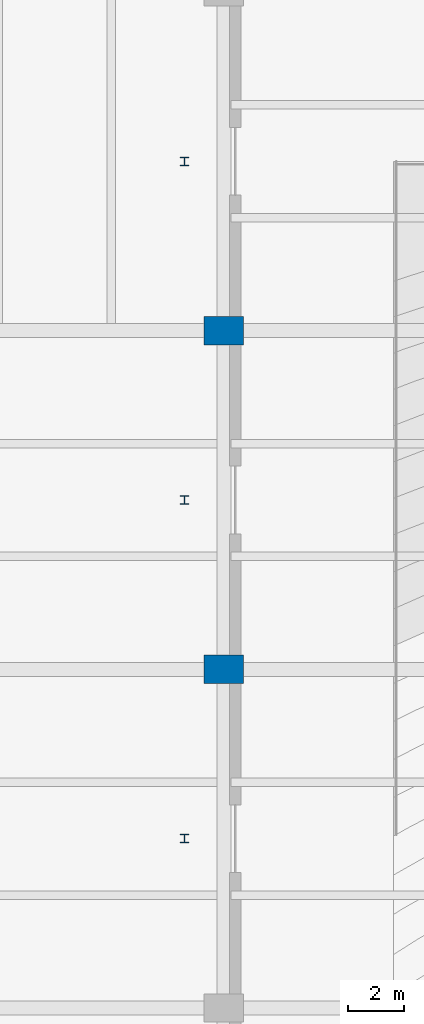
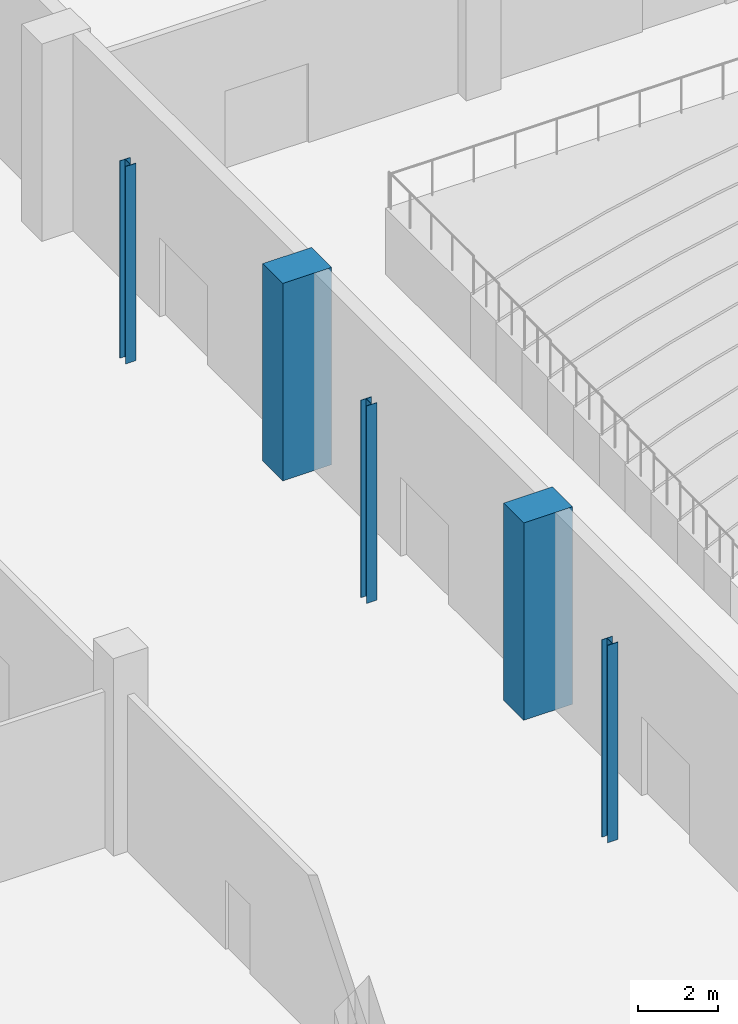
# One storey, part 8 of 59: 5 columns.
"""IFC4 building model written with IfcOpenShell, lengths in metres."""

from ifc_helpers import new_model, si_unit, direction, frame, origin, origin_2d, place, context, subcontext, project, spatial, rectangle, i_section, extrude, material, material_profile, profile_set, type_object, element, save


model = new_model("IFC4")

# Units and contexts
model_context = context("Model", 3, precision=1e-05, world=origin(), true_north=direction((0.0, 1.0)))
body_context = subcontext(model_context, "Body", "Model", "MODEL_VIEW")
ifc_project = project(units=[si_unit("LENGTHUNIT", "METRE"), si_unit("AREAUNIT", "SQUARE_METRE"), si_unit("VOLUMEUNIT", "CUBIC_METRE"), si_unit("PLANEANGLEUNIT", "RADIAN"), si_unit("MASSUNIT", "GRAM", prefix="KILO")], contexts=[model_context])

# Site, building, storey
site_placement = place(None, origin())
site = spatial("IfcSite", under=ifc_project, at=site_placement, CompositionType="ELEMENT")
building_placement = place(site_placement, origin())
building = spatial("IfcBuilding", under=site, at=building_placement, Name="Lilac Gate Convention Centre", CompositionType="ELEMENT")
storey_placement = place(building_placement, origin())
storey = spatial("IfcBuildingStorey", under=building, at=storey_placement, Name="L00", CompositionType="ELEMENT", Elevation=0.0)

# Columns
ifc_material_1 = material(Name="Concrete C40", Category="concrete")
ifc_material_profile_1 = material_profile(ifc_material_1, rectangle(XDim=1.39990234375, YDim=1.0, at=origin_2d()), Name="RC 1400x1000")
ifc_profile_set_1 = profile_set([ifc_material_profile_1], Name="Concrete C40")
column_type_1 = type_object("IfcColumnType", Name="RC hall column 1400x1000 C40", PredefinedType="COLUMN", material=ifc_profile_set_1)
for number, where, z_axis, x_axis, name in (
    (1, (30.0, 138.0, 0.0), (0.0, 0.0, 1.0), (1.0, 0.0, 0.0), "C2 L00 at 3/K"),
    (2, (30.0, 150.0, 0.0), (0.0, 0.0, 1.0), (1.0, 0.0, 0.0), "C2 L00 at 3/L"),
):
    element("IfcColumn", number, at=place(storey_placement, frame(where, z_axis=z_axis, x_axis=x_axis)), inside=storey, type_object=column_type_1, Name=name, PredefinedType="COLUMN", context=body_context, shape_type="SweptSolid", body=[
        extrude(rectangle(XDim=1.39990234375, YDim=1.0, at=origin_2d()), origin(), (0.0, 0.0, 1.0), 6.0),
    ])
ifc_material_2 = material(Name="Steel Q355B", Category="steel")
ifc_material_profile_2 = material_profile(ifc_material_2, i_section(OverallWidth=0.300048828125, OverallDepth=0.300048828125, WebThickness=0.010009765625, FlangeThickness=0.014892578125, FilletRadius=0.012939453125, at=origin_2d()), Name="HW300x300x10x15")
ifc_profile_set_2 = profile_set([ifc_material_profile_2], Name="Steel Q355B")
column_type_2 = type_object("IfcColumnType", Name="Steel column HW300x300x10x15", PredefinedType="COLUMN", material=ifc_profile_set_2)
for number, where, z_axis, x_axis, name in (
    (3, (28.60009765625, 132.0, 0.0), (0.0, 0.0, 1.0), (1.0, 0.0, 0.0), "SC1 L00 atrium column at 132"),
    (4, (28.60009765625, 144.0, 0.0), (0.0, 0.0, 1.0), (1.0, 0.0, 0.0), "SC1 L00 atrium column at 144"),
    (5, (28.60009765625, 156.0, 0.0), (0.0, 0.0, 1.0), (1.0, 0.0, 0.0), "SC1 L00 atrium column at 156"),
):
    element("IfcColumn", number, at=place(storey_placement, frame(where, z_axis=z_axis, x_axis=x_axis)), inside=storey, type_object=column_type_2, Name=name, PredefinedType="COLUMN", context=body_context, shape_type="SweptSolid", body=[
        extrude(i_section(OverallWidth=0.300048828125, OverallDepth=0.300048828125, WebThickness=0.010009765625, FlangeThickness=0.014892578125, FilletRadius=0.012939453125, at=origin_2d()), origin(), (0.0, 0.0, 1.0), 6.0),
    ])

save(model, "model.ifc")
